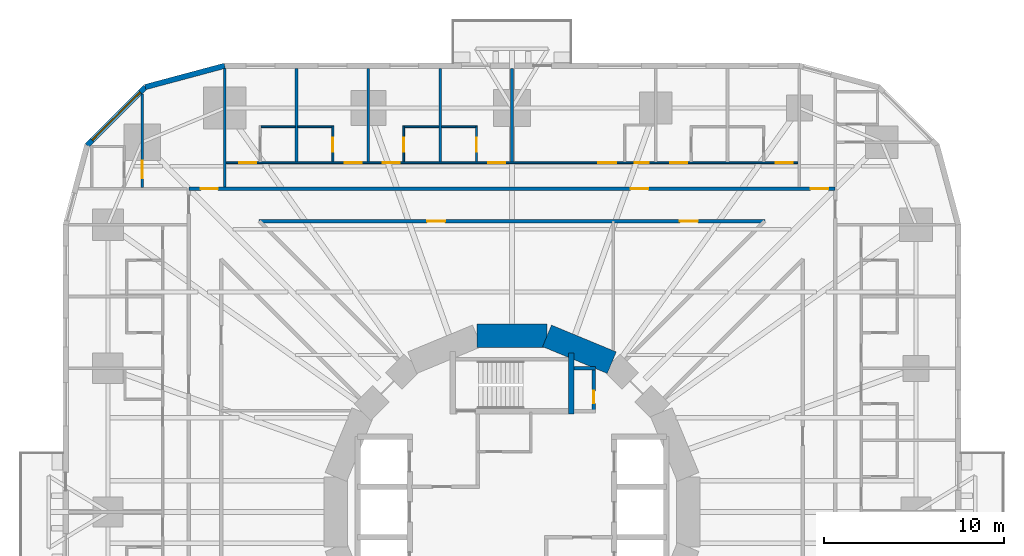
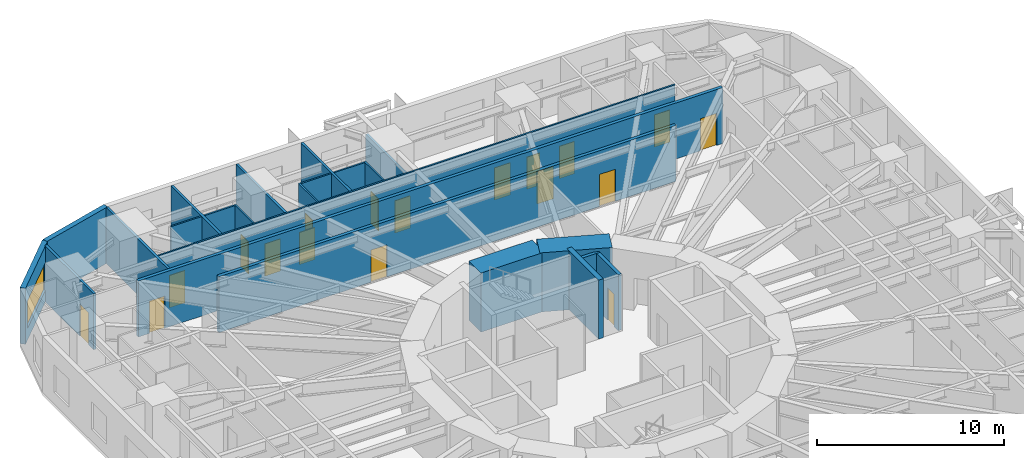
# One storey, part 10 of 14: 23 walls, 18 doors, 1 window, 19 openings.
"""IFC4 building model written with IfcOpenShell, lengths in metres."""

from ifc_helpers import new_model, si_unit, direction, frame, frame_2d, origin, place, context, subcontext, project, spatial, rectangle, extrude, material, layer, layer_set, type_object, element, fill, save


model = new_model("IFC4")

# Units and contexts
model_context = context("Model", 3, precision=1e-05, world=origin(), true_north=direction((0.0, 1.0)))
body_context = subcontext(model_context, "Body", "Model", "MODEL_VIEW")
ifc_project = project(units=[si_unit("LENGTHUNIT", "METRE"), si_unit("AREAUNIT", "SQUARE_METRE"), si_unit("VOLUMEUNIT", "CUBIC_METRE"), si_unit("PLANEANGLEUNIT", "RADIAN"), si_unit("MASSUNIT", "GRAM", prefix="KILO")], contexts=[model_context])

# Site, building, storey
site_placement = place(None, origin())
site = spatial("IfcSite", under=ifc_project, at=site_placement, CompositionType="ELEMENT")
building_placement = place(site_placement, origin())
building = spatial("IfcBuilding", under=site, at=building_placement, Name="Nakasero Lantern House", CompositionType="ELEMENT")
storey_placement = place(building_placement, frame((0.0, 0.0, 39.10009765625)))
storey = spatial("IfcBuildingStorey", under=building, at=storey_placement, Name="L09", CompositionType="ELEMENT", Elevation=39.10009765625)

# Wall, openings, doors
ifc_material_1 = material(Name="Blockwork", Category="masonry")
ifc_layer_1 = layer(ifc_material_1, 0.10009765625)
ifc_layer_set_1 = layer_set([ifc_layer_1], Name="Cluster hall wall 100")
wall_type_1 = type_object("IfcWallType", Name="Cluster hall wall 100", PredefinedType="PARTITIONING", material=ifc_layer_set_1)
wall_1_placement = place(storey_placement, frame((15.925048828125, 19.449951171875, 0.0), z_axis=(0.0, 0.0, 1.0), x_axis=(-1.0, 0.0, 0.0)))
wall_1 = element("IfcWall", 1, at=wall_1_placement, inside=storey, type_object=wall_type_1, Name="Cluster hall wall L09 HW1-0", PredefinedType="PARTITIONING", context=body_context, shape_type="SweptSolid", body=[
    extrude(rectangle(XDim=31.85009765625, YDim=0.10009765625, at=frame_2d((15.925048828125, 0.0))), origin(), (0.0, 0.0, 1.0), 3.64990234375),
])
opening_1_placement = place(wall_1_placement, frame((10.125, 0.0, 0.0)))
opening_1 = element("IfcOpeningElement", 2, at=opening_1_placement, cuts=wall_1, Name="Opening D03", PredefinedType="OPENING", context=body_context, shape_type="SweptSolid", body=[
    extrude(rectangle(XDim=1.0, YDim=2.10009765625, at=frame_2d((0.5, 1.050048828125))), frame((0.0, 0.070068359375, 0.0), z_axis=(0.0, -1.0, 0.0), x_axis=(1.0, 0.0, 0.0)), (0.0, 0.0, 1.0), 0.14013671875),
])
opening_2_placement = place(wall_1_placement, frame((8.300048828125, 0.0, 0.0)))
opening_2 = element("IfcOpeningElement", 3, at=opening_2_placement, cuts=wall_1, Name="Opening D02", PredefinedType="OPENING", context=body_context, shape_type="SweptSolid", body=[
    extrude(rectangle(XDim=0.800048828125, YDim=2.10009765625, at=frame_2d((0.39990234375, 1.050048828125))), frame((0.0, 0.070068359375, 0.0), z_axis=(0.0, -1.0, 0.0), x_axis=(1.0, 0.0, 0.0)), (0.0, 0.0, 1.0), 0.14013671875),
])
opening_3_placement = place(wall_1_placement, frame((0.300048828125, 0.0, 0.0)))
opening_3 = element("IfcOpeningElement", 4, at=opening_3_placement, cuts=wall_1, Name="Opening D01", PredefinedType="OPENING", context=body_context, shape_type="SweptSolid", body=[
    extrude(rectangle(XDim=0.949951171875, YDim=2.10009765625, at=frame_2d((0.47509765625, 1.050048828125))), frame((0.0, 0.070068359375, 0.0), z_axis=(0.0, -1.0, 0.0), x_axis=(1.0, 0.0, 0.0)), (0.0, 0.0, 1.0), 0.14013671875),
])
opening_4_placement = place(wall_1_placement, frame((6.175048828125, 0.0, 0.0)))
opening_4 = element("IfcOpeningElement", 5, at=opening_4_placement, cuts=wall_1, Name="Opening D01", PredefinedType="OPENING", context=body_context, shape_type="SweptSolid", body=[
    extrude(rectangle(XDim=0.949951171875, YDim=2.10009765625, at=frame_2d((0.47509765625, 1.050048828125))), frame((0.0, 0.070068359375, 0.0), z_axis=(0.0, -1.0, 0.0), x_axis=(1.0, 0.0, 0.0)), (0.0, 0.0, 1.0), 0.14013671875),
])
opening_5_placement = place(wall_1_placement, frame((16.300048828125, 0.0, 0.0)))
opening_5 = element("IfcOpeningElement", 6, at=opening_5_placement, cuts=wall_1, Name="Opening D01", PredefinedType="OPENING", context=body_context, shape_type="SweptSolid", body=[
    extrude(rectangle(XDim=0.949951171875, YDim=2.10009765625, at=frame_2d((0.47509765625, 1.050048828125))), frame((0.0, 0.070068359375, 0.0), z_axis=(0.0, -1.0, 0.0), x_axis=(1.0, 0.0, 0.0)), (0.0, 0.0, 1.0), 0.14013671875),
])
opening_6_placement = place(wall_1_placement, frame((22.175048828125, 0.0, 0.0)))
opening_6 = element("IfcOpeningElement", 7, at=opening_6_placement, cuts=wall_1, Name="Opening D01", PredefinedType="OPENING", context=body_context, shape_type="SweptSolid", body=[
    extrude(rectangle(XDim=0.949951171875, YDim=2.10009765625, at=frame_2d((0.47509765625, 1.050048828125))), frame((0.0, 0.070068359375, 0.0), z_axis=(0.0, -1.0, 0.0), x_axis=(1.0, 0.0, 0.0)), (0.0, 0.0, 1.0), 0.14013671875),
])
opening_7_placement = place(wall_1_placement, frame((24.300048828125, 0.0, 0.0)))
opening_7 = element("IfcOpeningElement", 8, at=opening_7_placement, cuts=wall_1, Name="Opening D01", PredefinedType="OPENING", context=body_context, shape_type="SweptSolid", body=[
    extrude(rectangle(XDim=0.949951171875, YDim=2.10009765625, at=frame_2d((0.47509765625, 1.050048828125))), frame((0.0, 0.070068359375, 0.0), z_axis=(0.0, -1.0, 0.0), x_axis=(1.0, 0.0, 0.0)), (0.0, 0.0, 1.0), 0.14013671875),
])
opening_8_placement = place(wall_1_placement, frame((30.175048828125, 0.0, 0.0)))
opening_8 = element("IfcOpeningElement", 9, at=opening_8_placement, cuts=wall_1, Name="Opening D01", PredefinedType="OPENING", context=body_context, shape_type="SweptSolid", body=[
    extrude(rectangle(XDim=0.949951171875, YDim=2.10009765625, at=frame_2d((0.47509765625, 1.050048828125))), frame((0.0, 0.070068359375, 0.0), z_axis=(0.0, -1.0, 0.0), x_axis=(1.0, 0.0, 0.0)), (0.0, 0.0, 1.0), 0.14013671875),
])
ifc_material_2 = material(Name="Timber C24", Category="wood")
door_type_1 = type_object("IfcDoorType", Name="Bedroom door FD30S 950", OperationType="SINGLE_SWING_LEFT", PredefinedType="DOOR", material=ifc_material_2)
door_1_placement = place(opening_3_placement, origin())
door_1 = element("IfcDoor", 10, at=door_1_placement, inside=storey, type_object=door_type_1, Name="Door L09 D1-01", OperationType="SINGLE_SWING_LEFT", OverallHeight=2.10009765625, OverallWidth=0.949951171875, PredefinedType="DOOR", context=body_context, shape_type="SweptSolid", body=[
    extrude(rectangle(XDim=0.949951171875, YDim=2.10009765625, at=frame_2d((0.47509765625, 1.050048828125))), frame((0.0, 0.02490234375, 0.0), z_axis=(0.0, -1.0, 0.0), x_axis=(1.0, 0.0, 0.0)), (0.0, 0.0, 1.0), 0.050048828125),
])
fill(opening_3, door_1)
door_2_placement = place(opening_4_placement, origin())
door_2 = element("IfcDoor", 11, at=door_2_placement, inside=storey, type_object=door_type_1, Name="Door L09 D1-02", OperationType="SINGLE_SWING_LEFT", OverallHeight=2.10009765625, OverallWidth=0.949951171875, PredefinedType="DOOR", context=body_context, shape_type="SweptSolid", body=[
    extrude(rectangle(XDim=0.949951171875, YDim=2.10009765625, at=frame_2d((0.47509765625, 1.050048828125))), frame((0.0, 0.02490234375, 0.0), z_axis=(0.0, -1.0, 0.0), x_axis=(1.0, 0.0, 0.0)), (0.0, 0.0, 1.0), 0.050048828125),
])
fill(opening_4, door_2)
door_3_placement = place(opening_5_placement, origin())
door_3 = element("IfcDoor", 12, at=door_3_placement, inside=storey, type_object=door_type_1, Name="Door L09 D1-05", OperationType="SINGLE_SWING_RIGHT", OverallHeight=2.10009765625, OverallWidth=0.949951171875, PredefinedType="DOOR", context=body_context, shape_type="SweptSolid", body=[
    extrude(rectangle(XDim=0.949951171875, YDim=2.10009765625, at=frame_2d((0.47509765625, 1.050048828125))), frame((0.0, 0.02490234375, 0.0), z_axis=(0.0, -1.0, 0.0), x_axis=(1.0, 0.0, 0.0)), (0.0, 0.0, 1.0), 0.050048828125),
])
fill(opening_5, door_3)
door_4_placement = place(opening_6_placement, origin())
door_4 = element("IfcDoor", 13, at=door_4_placement, inside=storey, type_object=door_type_1, Name="Door L09 D1-06", OperationType="SINGLE_SWING_RIGHT", OverallHeight=2.10009765625, OverallWidth=0.949951171875, PredefinedType="DOOR", context=body_context, shape_type="SweptSolid", body=[
    extrude(rectangle(XDim=0.949951171875, YDim=2.10009765625, at=frame_2d((0.47509765625, 1.050048828125))), frame((0.0, 0.02490234375, 0.0), z_axis=(0.0, -1.0, 0.0), x_axis=(1.0, 0.0, 0.0)), (0.0, 0.0, 1.0), 0.050048828125),
])
fill(opening_6, door_4)
door_5_placement = place(opening_7_placement, origin())
door_5 = element("IfcDoor", 14, at=door_5_placement, inside=storey, type_object=door_type_1, Name="Door L09 D1-07", OperationType="SINGLE_SWING_RIGHT", OverallHeight=2.10009765625, OverallWidth=0.949951171875, PredefinedType="DOOR", context=body_context, shape_type="SweptSolid", body=[
    extrude(rectangle(XDim=0.949951171875, YDim=2.10009765625, at=frame_2d((0.47509765625, 1.050048828125))), frame((0.0, 0.02490234375, 0.0), z_axis=(0.0, -1.0, 0.0), x_axis=(1.0, 0.0, 0.0)), (0.0, 0.0, 1.0), 0.050048828125),
])
fill(opening_7, door_5)
door_6_placement = place(opening_8_placement, origin())
door_6 = element("IfcDoor", 15, at=door_6_placement, inside=storey, type_object=door_type_1, Name="Door L09 D1-08", OperationType="SINGLE_SWING_RIGHT", OverallHeight=2.10009765625, OverallWidth=0.949951171875, PredefinedType="DOOR", context=body_context, shape_type="SweptSolid", body=[
    extrude(rectangle(XDim=0.949951171875, YDim=2.10009765625, at=frame_2d((0.47509765625, 1.050048828125))), frame((0.0, 0.02490234375, 0.0), z_axis=(0.0, -1.0, 0.0), x_axis=(1.0, 0.0, 0.0)), (0.0, 0.0, 1.0), 0.050048828125),
])
fill(opening_8, door_6)
ifc_material_3 = material(Name="Timber C24", Category="wood")
door_type_2 = type_object("IfcDoorType", Name="En-suite door 800", OperationType="SINGLE_SWING_RIGHT", PredefinedType="DOOR", material=ifc_material_3)
door_7_placement = place(opening_2_placement, origin())
door_7 = element("IfcDoor", 16, at=door_7_placement, inside=storey, type_object=door_type_2, Name="Door L09 DSH1-0", OperationType="SINGLE_SWING_LEFT", OverallHeight=2.10009765625, OverallWidth=0.800048828125, PredefinedType="DOOR", context=body_context, shape_type="SweptSolid", body=[
    extrude(rectangle(XDim=0.800048828125, YDim=2.10009765625, at=frame_2d((0.39990234375, 1.050048828125))), frame((0.0, 0.02490234375, 0.0), z_axis=(0.0, -1.0, 0.0), x_axis=(1.0, 0.0, 0.0)), (0.0, 0.0, 1.0), 0.050048828125),
])
fill(opening_2, door_7)
ifc_material_4 = material(Name="Timber C24", Category="wood")
door_type_3 = type_object("IfcDoorType", Name="Lounge door FD30S 1000", OperationType="SINGLE_SWING_LEFT", PredefinedType="DOOR", material=ifc_material_4)
door_8_placement = place(opening_1_placement, origin())
door_8 = element("IfcDoor", 17, at=door_8_placement, inside=storey, type_object=door_type_3, Name="Door L09 DH1-0", OperationType="SINGLE_SWING_LEFT", OverallHeight=2.10009765625, OverallWidth=1.0, PredefinedType="DOOR", context=body_context, shape_type="SweptSolid", body=[
    extrude(rectangle(XDim=1.0, YDim=2.10009765625, at=frame_2d((0.5, 1.050048828125))), frame((0.0, 0.02490234375, 0.0), z_axis=(0.0, -1.0, 0.0), x_axis=(1.0, 0.0, 0.0)), (0.0, 0.0, 1.0), 0.050048828125),
])
fill(opening_1, door_8)

# Walls
ifc_material_5 = material(Name="Concrete C50/60", Category="concrete")
ifc_layer_2 = layer(ifc_material_5, 0.300048828125)
ifc_layer_set_2 = layer_set([ifc_layer_2], Name="Core inner wall 300")
wall_type_2 = type_object("IfcWallType", Name="Core inner wall 300", PredefinedType="SHEAR", material=ifc_layer_set_2)
wall_2_placement = place(storey_placement, frame((3.300048828125, 5.449951171875, 0.0), z_axis=(0.0, 0.0, 1.0), x_axis=(0.0, 1.0, 0.0)))
element("IfcWall", 18, at=wall_2_placement, inside=storey, type_object=wall_type_2, Name="Core inner wall L09 SNE", PredefinedType="SHEAR", context=body_context, shape_type="SweptSolid", body=[
    extrude(rectangle(XDim=3.400146484375, YDim=0.300048828125, at=frame_2d((1.7001953125, 0.0))), origin(), (0.0, 0.0, 1.0), 3.849853515625),
])
ifc_material_6 = material(Name="Concrete C50/60", Category="concrete")
ifc_layer_3 = layer(ifc_material_6, 1.300048828125)
ifc_layer_set_3 = layer_set([ifc_layer_3], Name="Core wall 1300")
wall_type_3 = type_object("IfcWallType", Name="Core wall 1300", PredefinedType="SHEAR", material=ifc_layer_set_3)
for number, where, z_axis, x_axis, name in (
    (19, (5.5556640625, 8.314697265625, 0.0), (0.0, 0.0, 1.0), (-0.923876507187, 0.382690736062, 0.0), "Core wall L09 facet 3"),
    (20, (1.950927734375, 9.807861328125, 0.0), (0.0, 0.0, 1.0), (-1.0, 0.0, 0.0), "Core wall L09 facet 4"),
):
    element("IfcWall", number, at=place(storey_placement, frame(where, z_axis=z_axis, x_axis=x_axis)), inside=storey, type_object=wall_type_3, Name=name, PredefinedType="SHEAR", context=body_context, shape_type="SweptSolid", body=[
        extrude(rectangle(XDim=3.90185546875, YDim=1.300048828125, at=frame_2d((1.950927734375, 0.0))), origin(), (0.0, 0.0, 1.0), 3.849853515625),
    ])

# Wall, openings, doors
ifc_material_7 = material(Name="Blockwork", Category="masonry")
ifc_layer_4 = layer(ifc_material_7, 0.199951171875)
ifc_layer_set_4 = layer_set([ifc_layer_4], Name="Corridor wall 200")
wall_type_4 = type_object("IfcWallType", Name="Corridor wall 200", PredefinedType="PARTITIONING", material=ifc_layer_set_4)
wall_3_placement = place(storey_placement, frame((18.0, 18.0, 0.0), z_axis=(0.0, 0.0, 1.0), x_axis=(-1.0, 0.0, 0.0)))
wall_3 = element("IfcWall", 21, at=wall_3_placement, inside=storey, type_object=wall_type_4, Name="Corridor wall L09 CW1", PredefinedType="PARTITIONING", context=body_context, shape_type="SweptSolid", body=[
    extrude(rectangle(XDim=36.0, YDim=0.199951171875, at=frame_2d((18.0, 0.0))), origin(), (0.0, 0.0, 1.0), 3.64990234375),
])
opening_9_placement = place(wall_3_placement, frame((10.39990234375, 0.0, 0.0)))
opening_9 = element("IfcOpeningElement", 22, at=opening_9_placement, cuts=wall_3, Name="Opening D14", PredefinedType="OPENING", context=body_context, shape_type="SweptSolid", body=[
    extrude(rectangle(XDim=1.0, YDim=2.10009765625, at=frame_2d((0.5, 1.050048828125))), frame((0.0, 0.119873046875, 0.0), z_axis=(0.0, -1.0, 0.0), x_axis=(1.0, 0.0, 0.0)), (0.0, 0.0, 1.0), 0.239990234375),
])
opening_10_placement = place(wall_3_placement, frame((0.375, 0.0, 0.0)))
opening_10 = element("IfcOpeningElement", 23, at=opening_10_placement, cuts=wall_3, Name="Opening D07", PredefinedType="OPENING", context=body_context, shape_type="SweptSolid", body=[
    extrude(rectangle(XDim=1.0, YDim=2.10009765625, at=frame_2d((0.5, 1.050048828125))), frame((0.0, 0.119873046875, 0.0), z_axis=(0.0, -1.0, 0.0), x_axis=(1.0, 0.0, 0.0)), (0.0, 0.0, 1.0), 0.239990234375),
])
opening_11_placement = place(wall_3_placement, frame((34.375, 0.0, 0.0)))
opening_11 = element("IfcOpeningElement", 24, at=opening_11_placement, cuts=wall_3, Name="Opening D01", PredefinedType="OPENING", context=body_context, shape_type="SweptSolid", body=[
    extrude(rectangle(XDim=0.949951171875, YDim=2.10009765625, at=frame_2d((0.47509765625, 1.050048828125))), frame((0.0, 0.119873046875, 0.0), z_axis=(0.0, -1.0, 0.0), x_axis=(1.0, 0.0, 0.0)), (0.0, 0.0, 1.0), 0.239990234375),
])
door_9_placement = place(opening_11_placement, origin())
door_9 = element("IfcDoor", 25, at=door_9_placement, inside=storey, type_object=door_type_1, Name="Door L09 D1-09", OperationType="SINGLE_SWING_RIGHT", OverallHeight=2.10009765625, OverallWidth=0.949951171875, PredefinedType="DOOR", context=body_context, shape_type="SweptSolid", body=[
    extrude(rectangle(XDim=0.949951171875, YDim=2.10009765625, at=frame_2d((0.47509765625, 1.050048828125))), frame((0.0, 0.02490234375, 0.0), z_axis=(0.0, -1.0, 0.0), x_axis=(1.0, 0.0, 0.0)), (0.0, 0.0, 1.0), 0.050048828125),
])
fill(opening_11, door_9)
ifc_material_8 = material(Name="Timber C24", Category="wood")
door_type_4 = type_object("IfcDoorType", Name="Cluster entrance door FD30S 1000", OperationType="SINGLE_SWING_LEFT", PredefinedType="DOOR", material=ifc_material_8)
door_10_placement = place(opening_9_placement, origin())
door_10 = element("IfcDoor", 26, at=door_10_placement, inside=storey, type_object=door_type_4, Name="Door L09 DF1-0", OperationType="SINGLE_SWING_LEFT", OverallHeight=2.10009765625, OverallWidth=1.0, PredefinedType="DOOR", context=body_context, shape_type="SweptSolid", body=[
    extrude(rectangle(XDim=1.0, YDim=2.10009765625, at=frame_2d((0.5, 1.050048828125))), frame((0.0, 0.02490234375, 0.0), z_axis=(0.0, -1.0, 0.0), x_axis=(1.0, 0.0, 0.0)), (0.0, 0.0, 1.0), 0.050048828125),
])
fill(opening_9, door_10)
ifc_material_9 = material(Name="Timber C24", Category="wood")
door_type_5 = type_object("IfcDoorType", Name="Room door FD30S 1000", OperationType="SINGLE_SWING_LEFT", PredefinedType="DOOR", material=ifc_material_9)
door_11_placement = place(opening_10_placement, origin())
door_11 = element("IfcDoor", 27, at=door_11_placement, inside=storey, type_object=door_type_5, Name="Door L09 D1-00", OperationType="SINGLE_SWING_LEFT", OverallHeight=2.10009765625, OverallWidth=1.0, PredefinedType="DOOR", context=body_context, shape_type="SweptSolid", body=[
    extrude(rectangle(XDim=1.0, YDim=2.10009765625, at=frame_2d((0.5, 1.050048828125))), frame((0.0, 0.02490234375, 0.0), z_axis=(0.0, -1.0, 0.0), x_axis=(1.0, 0.0, 0.0)), (0.0, 0.0, 1.0), 0.050048828125),
])
fill(opening_10, door_11)

wall_4_placement = place(storey_placement, frame((14.07861328125, 16.199951171875, 0.0), z_axis=(0.0, 0.0, 1.0), x_axis=(-1.0, 0.0, 0.0)))
wall_4 = element("IfcWall", 28, at=wall_4_placement, inside=storey, type_object=wall_type_4, Name="Corridor wall L09 IW1-0", PredefinedType="PARTITIONING", context=body_context, shape_type="SweptSolid", body=[
    extrude(rectangle(XDim=28.1572265625, YDim=0.199951171875, at=frame_2d((14.07861328125, 0.0))), origin(), (0.0, 0.0, 1.0), 3.64990234375),
])
opening_12_placement = place(wall_4_placement, frame((3.7236328125, 0.0, 0.0)))
opening_12 = element("IfcOpeningElement", 29, at=opening_12_placement, cuts=wall_4, Name="Opening D07", PredefinedType="OPENING", context=body_context, shape_type="SweptSolid", body=[
    extrude(rectangle(XDim=1.0, YDim=2.10009765625, at=frame_2d((0.5, 1.050048828125))), frame((0.0, 0.119873046875, 0.0), z_axis=(0.0, -1.0, 0.0), x_axis=(1.0, 0.0, 0.0)), (0.0, 0.0, 1.0), 0.239990234375),
])
opening_13_placement = place(wall_4_placement, frame((17.80224609375, 0.0, 0.0)))
opening_13 = element("IfcOpeningElement", 30, at=opening_13_placement, cuts=wall_4, Name="Opening D07", PredefinedType="OPENING", context=body_context, shape_type="SweptSolid", body=[
    extrude(rectangle(XDim=1.0, YDim=2.10009765625, at=frame_2d((0.5, 1.050048828125))), frame((0.0, 0.119873046875, 0.0), z_axis=(0.0, -1.0, 0.0), x_axis=(1.0, 0.0, 0.0)), (0.0, 0.0, 1.0), 0.239990234375),
])
door_12_placement = place(opening_12_placement, origin())
door_12 = element("IfcDoor", 31, at=door_12_placement, inside=storey, type_object=door_type_5, Name="Door L09 DI2", OperationType="SINGLE_SWING_LEFT", OverallHeight=2.10009765625, OverallWidth=1.0, PredefinedType="DOOR", context=body_context, shape_type="SweptSolid", body=[
    extrude(rectangle(XDim=1.0, YDim=2.10009765625, at=frame_2d((0.5, 1.050048828125))), frame((0.0, 0.02490234375, 0.0), z_axis=(0.0, -1.0, 0.0), x_axis=(1.0, 0.0, 0.0)), (0.0, 0.0, 1.0), 0.050048828125),
])
fill(opening_12, door_12)
door_13_placement = place(opening_13_placement, origin())
door_13 = element("IfcDoor", 32, at=door_13_placement, inside=storey, type_object=door_type_5, Name="Door L09 DI2S", OperationType="SINGLE_SWING_RIGHT", OverallHeight=2.10009765625, OverallWidth=1.0, PredefinedType="DOOR", context=body_context, shape_type="SweptSolid", body=[
    extrude(rectangle(XDim=1.0, YDim=2.10009765625, at=frame_2d((0.5, 1.050048828125))), frame((0.0, 0.02490234375, 0.0), z_axis=(0.0, -1.0, 0.0), x_axis=(1.0, 0.0, 0.0)), (0.0, 0.0, 1.0), 0.050048828125),
])
fill(opening_13, door_13)

# Wall, opening, door
ifc_material_10 = material(Name="Blockwork", Category="masonry")
ifc_layer_5 = layer(ifc_material_10, 0.10009765625)
ifc_layer_set_5 = layer_set([ifc_layer_5], Name="En-suite wall 100")
wall_type_5 = type_object("IfcWallType", Name="En-suite wall 100", PredefinedType="PARTITIONING", material=ifc_layer_set_5)
wall_5_placement = place(storey_placement, frame((-1.97509765625, 19.5, 0.0), z_axis=(0.0, 0.0, 1.0), x_axis=(0.0, 1.0, 0.0)))
wall_5 = element("IfcWall", 33, at=wall_5_placement, inside=storey, type_object=wall_type_5, Name="En-suite wall L09 ES1-05", PredefinedType="PARTITIONING", context=body_context, shape_type="SweptSolid", body=[
    extrude(rectangle(XDim=2.0, YDim=0.10009765625, at=frame_2d((1.0, 0.0))), origin(), (0.0, 0.0, 1.0), 3.64990234375),
])
opening_14_placement = place(wall_5_placement, frame((0.550048828125, 0.0, 0.0)))
opening_14 = element("IfcOpeningElement", 34, at=opening_14_placement, cuts=wall_5, Name="Opening D02", PredefinedType="OPENING", context=body_context, shape_type="SweptSolid", body=[
    extrude(rectangle(XDim=0.800048828125, YDim=2.10009765625, at=frame_2d((0.39990234375, 1.050048828125))), frame((0.0, 0.070068359375, 0.0), z_axis=(0.0, -1.0, 0.0), x_axis=(1.0, 0.0, 0.0)), (0.0, 0.0, 1.0), 0.14013671875),
])
door_14_placement = place(opening_14_placement, origin())
door_14 = element("IfcDoor", 35, at=door_14_placement, inside=storey, type_object=door_type_2, Name="Door L09 DE1-05", OperationType="SINGLE_SWING_LEFT", OverallHeight=2.10009765625, OverallWidth=0.800048828125, PredefinedType="DOOR", context=body_context, shape_type="SweptSolid", body=[
    extrude(rectangle(XDim=0.800048828125, YDim=2.10009765625, at=frame_2d((0.39990234375, 1.050048828125))), frame((0.0, 0.02490234375, 0.0), z_axis=(0.0, -1.0, 0.0), x_axis=(1.0, 0.0, 0.0)), (0.0, 0.0, 1.0), 0.050048828125),
])
fill(opening_14, door_14)

# Wall
wall_6_placement = place(storey_placement, frame((-2.02490234375, 21.449951171875, 0.0), z_axis=(0.0, 0.0, 1.0), x_axis=(-1.0, 0.0, 0.0)))
element("IfcWall", 36, at=wall_6_placement, inside=storey, type_object=wall_type_5, Name="En-suite wall L09 EE1-05", PredefinedType="PARTITIONING", context=body_context, shape_type="SweptSolid", body=[
    extrude(rectangle(XDim=1.900146484375, YDim=0.10009765625, at=frame_2d((0.9501953125, 0.0))), origin(), (0.0, 0.0, 1.0), 3.64990234375),
])

# Wall, opening, door
wall_7_placement = place(storey_placement, frame((-6.02490234375, 19.5, 0.0), z_axis=(0.0, 0.0, 1.0), x_axis=(0.0, 1.0, 0.0)))
wall_7 = element("IfcWall", 37, at=wall_7_placement, inside=storey, type_object=wall_type_5, Name="En-suite wall L09 ES1-06", PredefinedType="PARTITIONING", context=body_context, shape_type="SweptSolid", body=[
    extrude(rectangle(XDim=2.0, YDim=0.10009765625, at=frame_2d((1.0, 0.0))), origin(), (0.0, 0.0, 1.0), 3.64990234375),
])
opening_15_placement = place(wall_7_placement, frame((0.550048828125, 0.0, 0.0)))
opening_15 = element("IfcOpeningElement", 38, at=opening_15_placement, cuts=wall_7, Name="Opening D02", PredefinedType="OPENING", context=body_context, shape_type="SweptSolid", body=[
    extrude(rectangle(XDim=0.800048828125, YDim=2.10009765625, at=frame_2d((0.39990234375, 1.050048828125))), frame((0.0, 0.070068359375, 0.0), z_axis=(0.0, -1.0, 0.0), x_axis=(1.0, 0.0, 0.0)), (0.0, 0.0, 1.0), 0.14013671875),
])
door_15_placement = place(opening_15_placement, origin())
door_15 = element("IfcDoor", 39, at=door_15_placement, inside=storey, type_object=door_type_2, Name="Door L09 DE1-06", OperationType="SINGLE_SWING_LEFT", OverallHeight=2.10009765625, OverallWidth=0.800048828125, PredefinedType="DOOR", context=body_context, shape_type="SweptSolid", body=[
    extrude(rectangle(XDim=0.800048828125, YDim=2.10009765625, at=frame_2d((0.39990234375, 1.050048828125))), frame((0.0, 0.02490234375, 0.0), z_axis=(0.0, -1.0, 0.0), x_axis=(1.0, 0.0, 0.0)), (0.0, 0.0, 1.0), 0.050048828125),
])
fill(opening_15, door_15)

# Wall
wall_8_placement = place(storey_placement, frame((-4.074951171875, 21.449951171875, 0.0), z_axis=(0.0, 0.0, 1.0), x_axis=(-1.0, 0.0, 0.0)))
element("IfcWall", 40, at=wall_8_placement, inside=storey, type_object=wall_type_5, Name="En-suite wall L09 EE1-06", PredefinedType="PARTITIONING", context=body_context, shape_type="SweptSolid", body=[
    extrude(rectangle(XDim=1.900146484375, YDim=0.10009765625, at=frame_2d((0.9501953125, 0.0))), origin(), (0.0, 0.0, 1.0), 3.64990234375),
])

# Wall, opening, door
wall_9_placement = place(storey_placement, frame((-9.97509765625, 19.5, 0.0), z_axis=(0.0, 0.0, 1.0), x_axis=(0.0, 1.0, 0.0)))
wall_9 = element("IfcWall", 41, at=wall_9_placement, inside=storey, type_object=wall_type_5, Name="En-suite wall L09 ES1-07", PredefinedType="PARTITIONING", context=body_context, shape_type="SweptSolid", body=[
    extrude(rectangle(XDim=2.0, YDim=0.10009765625, at=frame_2d((1.0, 0.0))), origin(), (0.0, 0.0, 1.0), 3.64990234375),
])
opening_16_placement = place(wall_9_placement, frame((0.550048828125, 0.0, 0.0)))
opening_16 = element("IfcOpeningElement", 42, at=opening_16_placement, cuts=wall_9, Name="Opening D02", PredefinedType="OPENING", context=body_context, shape_type="SweptSolid", body=[
    extrude(rectangle(XDim=0.800048828125, YDim=2.10009765625, at=frame_2d((0.39990234375, 1.050048828125))), frame((0.0, 0.070068359375, 0.0), z_axis=(0.0, -1.0, 0.0), x_axis=(1.0, 0.0, 0.0)), (0.0, 0.0, 1.0), 0.14013671875),
])
door_16_placement = place(opening_16_placement, origin())
door_16 = element("IfcDoor", 43, at=door_16_placement, inside=storey, type_object=door_type_2, Name="Door L09 DE1-07", OperationType="SINGLE_SWING_LEFT", OverallHeight=2.10009765625, OverallWidth=0.800048828125, PredefinedType="DOOR", context=body_context, shape_type="SweptSolid", body=[
    extrude(rectangle(XDim=0.800048828125, YDim=2.10009765625, at=frame_2d((0.39990234375, 1.050048828125))), frame((0.0, 0.02490234375, 0.0), z_axis=(0.0, -1.0, 0.0), x_axis=(1.0, 0.0, 0.0)), (0.0, 0.0, 1.0), 0.050048828125),
])
fill(opening_16, door_16)

# Walls
for number, where, z_axis, x_axis, name in (
    (44, (-10.02490234375, 21.449951171875, 0.0), (0.0, 0.0, 1.0), (-1.0, 0.0, 0.0), "En-suite wall L09 EE1-07"),
    (45, (-12.074951171875, 21.449951171875, 0.0), (0.0, 0.0, 1.0), (-1.0, 0.0, 0.0), "En-suite wall L09 EE1-08"),
):
    element("IfcWall", number, at=place(storey_placement, frame(where, z_axis=z_axis, x_axis=x_axis)), inside=storey, type_object=wall_type_5, Name=name, PredefinedType="PARTITIONING", context=body_context, shape_type="SweptSolid", body=[
        extrude(rectangle(XDim=1.900146484375, YDim=0.10009765625, at=frame_2d((0.9501953125, 0.0))), origin(), (0.0, 0.0, 1.0), 3.64990234375),
    ])
ifc_material_11 = material(Name="Aluminium rainscreen on blockwork", Category="masonry")
ifc_layer_6 = layer(ifc_material_11, 0.300048828125)
ifc_layer_set_6 = layer_set([ifc_layer_6], Name="Facade wall 300")
wall_type_6 = type_object("IfcWallType", Name="Facade wall 300", PredefinedType="SOLIDWALL", material=ifc_layer_set_6)
wall_10_placement = place(storey_placement, frame((-16.0, 24.85009765625, 0.0), z_axis=(0.0, 0.0, 1.0), x_axis=(-0.965920218567, -0.258839972501, 0.0)))
element("IfcWall", 46, at=wall_10_placement, inside=storey, type_object=wall_type_6, Name="Facade wall L09 FW1C1", PredefinedType="SOLIDWALL", context=body_context, shape_type="SweptSolid", body=[
    extrude(rectangle(XDim=4.5810546875, YDim=0.300048828125, at=frame_2d((2.29052734375, 0.0))), origin(), (0.0, 0.0, 1.0), 3.64990234375),
])

# Wall, opening, window
wall_11_placement = place(storey_placement, frame((-20.425048828125, 23.664306640625, 0.0), z_axis=(0.0, 0.0, 1.0), x_axis=(-0.707106781187, -0.707106781187, 0.0)))
wall_11 = element("IfcWall", 47, at=wall_11_placement, inside=storey, type_object=wall_type_6, Name="Facade wall L09 FW1C2", PredefinedType="SOLIDWALL", context=body_context, shape_type="SweptSolid", body=[
    extrude(rectangle(XDim=4.5810546875, YDim=0.300048828125, at=frame_2d((2.29052734375, 0.0))), origin(), (0.0, 0.0, 1.0), 3.64990234375),
])
opening_17_placement = place(wall_11_placement, frame((0.39990234375, 0.0, 0.75)))
opening_17 = element("IfcOpeningElement", 48, at=opening_17_placement, cuts=wall_11, Name="Opening W237", PredefinedType="OPENING", context=body_context, shape_type="SweptSolid", body=[
    extrude(rectangle(XDim=3.781005859375, YDim=1.800048828125, at=frame_2d((1.890625, 0.89990234375))), frame((0.0, 0.169921875, 0.0), z_axis=(0.0, -1.0, 0.0), x_axis=(1.0, 0.0, 0.0)), (0.0, 0.0, 1.0), 0.340087890625),
])
ifc_material_12 = material(Name="Aluminium 6063-T6 and glass", Category="aluminium")
window_type = type_object("IfcWindowType", Name="Corner window 3781x1800", PartitioningType="SINGLE_PANEL", PredefinedType="WINDOW", material=ifc_material_12)
window_placement = place(opening_17_placement, origin())
window = element("IfcWindow", 49, at=window_placement, inside=storey, type_object=window_type, Name="Window L09 WC1", OverallHeight=1.800048828125, OverallWidth=3.781005859375, PartitioningType="SINGLE_PANEL", PredefinedType="WINDOW", context=body_context, shape_type="SweptSolid", body=[
    extrude(rectangle(XDim=3.781005859375, YDim=1.800048828125, at=frame_2d((1.890625, 0.89990234375))), frame((0.0, 0.030029296875, 0.0), z_axis=(0.0, -1.0, 0.0), x_axis=(1.0, 0.0, 0.0)), (0.0, 0.0, 1.0), 0.06005859375),
])
fill(opening_17, window)

# Wall, opening, door
ifc_material_13 = material(Name="Blockwork", Category="masonry")
ifc_layer_7 = layer(ifc_material_13, 0.199951171875)
ifc_layer_set_7 = layer_set([ifc_layer_7], Name="Fire lobby wall 200")
wall_type_7 = type_object("IfcWallType", Name="Fire lobby wall 200", PredefinedType="PARTITIONING", material=ifc_layer_set_7)
wall_12_placement = place(storey_placement, frame((4.550048828125, 5.60009765625, 0.0), z_axis=(0.0, 0.0, 1.0), x_axis=(0.0, 1.0, 0.0)))
wall_12 = element("IfcWall", 50, at=wall_12_placement, inside=storey, type_object=wall_type_7, Name="Fire lobby wall L09 W-RS1E", PredefinedType="PARTITIONING", context=body_context, shape_type="SweptSolid", body=[
    extrude(rectangle(XDim=2.39990234375, YDim=0.199951171875, at=frame_2d((1.199951171875, 0.0))), origin(), (0.0, 0.0, 1.0), 3.64990234375),
])
opening_18_placement = place(wall_12_placement, frame((0.449951171875, 0.0, 0.0)))
opening_18 = element("IfcOpeningElement", 51, at=opening_18_placement, cuts=wall_12, Name="Opening D06", PredefinedType="OPENING", context=body_context, shape_type="SweptSolid", body=[
    extrude(rectangle(XDim=0.699951171875, YDim=2.10009765625, at=frame_2d((0.35009765625, 1.050048828125))), frame((0.0, 0.119873046875, 0.0), z_axis=(0.0, -1.0, 0.0), x_axis=(1.0, 0.0, 0.0)), (0.0, 0.0, 1.0), 0.239990234375),
])
ifc_material_14 = material(Name="Steel S355", Category="steel")
door_type_6 = type_object("IfcDoorType", Name="Riser door FD60 700", OperationType="SINGLE_SWING_LEFT", PredefinedType="DOOR", material=ifc_material_14)
door_17_placement = place(opening_18_placement, origin())
door_17 = element("IfcDoor", 52, at=door_17_placement, inside=storey, type_object=door_type_6, Name="Door L09 D-RS1", OperationType="SINGLE_SWING_LEFT", OverallHeight=2.10009765625, OverallWidth=0.699951171875, PredefinedType="DOOR", context=body_context, shape_type="SweptSolid", body=[
    extrude(rectangle(XDim=0.699951171875, YDim=2.10009765625, at=frame_2d((0.35009765625, 1.050048828125))), frame((0.0, 0.02490234375, 0.0), z_axis=(0.0, -1.0, 0.0), x_axis=(1.0, 0.0, 0.0)), (0.0, 0.0, 1.0), 0.050048828125),
])
fill(opening_18, door_17)

# Walls
wall_13_placement = place(storey_placement, frame((3.449951171875, 8.0, 0.0), z_axis=(0.0, 0.0, 1.0), x_axis=(1.0, 0.0, 0.0)))
element("IfcWall", 53, at=wall_13_placement, inside=storey, type_object=wall_type_7, Name="Fire lobby wall L09 W-RS1N", PredefinedType="PARTITIONING", context=body_context, shape_type="SweptSolid", body=[
    extrude(rectangle(XDim=1.199951171875, YDim=0.199951171875, at=frame_2d((0.60009765625, 0.0))), origin(), (0.0, 0.0, 1.0), 3.64990234375),
])
ifc_material_15 = material(Name="Blockwork", Category="masonry")
ifc_layer_8 = layer(ifc_material_15, 0.14990234375)
ifc_layer_set_8 = layer_set([ifc_layer_8], Name="Party wall 150")
wall_type_8 = type_object("IfcWallType", Name="Party wall 150", PredefinedType="PARTITIONING", material=ifc_layer_set_8)
wall_14_placement = place(storey_placement, frame((0.0, 19.5, 0.0), z_axis=(0.0, 0.0, 1.0), x_axis=(0.0, 1.0, 0.0)))
element("IfcWall", 54, at=wall_14_placement, inside=storey, type_object=wall_type_8, Name="Party wall L09 PW1-05", PredefinedType="PARTITIONING", context=body_context, shape_type="SweptSolid", body=[
    extrude(rectangle(XDim=5.199951171875, YDim=0.14990234375, at=frame_2d((2.60009765625, 0.0))), origin(), (0.0, 0.0, 1.0), 2.80908203125),
])
for number, where, z_axis, x_axis, name in (
    (55, (-4.0, 19.5, 0.0), (0.0, 0.0, 1.0), (0.0, 1.0, 0.0), "Party wall L09 PW1-06"),
    (56, (-8.0, 19.5, 0.0), (0.0, 0.0, 1.0), (0.0, 1.0, 0.0), "Party wall L09 PW1-07"),
    (57, (-12.0, 19.5, 0.0), (0.0, 0.0, 1.0), (0.0, 1.0, 0.0), "Party wall L09 PW1-08"),
):
    element("IfcWall", number, at=place(storey_placement, frame(where, z_axis=z_axis, x_axis=x_axis)), inside=storey, type_object=wall_type_8, Name=name, PredefinedType="PARTITIONING", context=body_context, shape_type="SweptSolid", body=[
        extrude(rectangle(XDim=5.199951171875, YDim=0.14990234375, at=frame_2d((2.60009765625, 0.0))), origin(), (0.0, 0.0, 1.0), 3.64990234375),
    ])
wall_15_placement = place(storey_placement, frame((-16.0, 18.10009765625, 0.0), z_axis=(0.0, 0.0, 1.0), x_axis=(0.0, 1.0, 0.0)))
element("IfcWall", 58, at=wall_15_placement, inside=storey, type_object=wall_type_8, Name="Party wall L09 PW1-09", PredefinedType="PARTITIONING", context=body_context, shape_type="SweptSolid", body=[
    extrude(rectangle(XDim=6.58935546875, YDim=0.14990234375, at=frame_2d((3.294677734375, 0.0))), origin(), (0.0, 0.0, 1.0), 3.64990234375),
])

# Wall, opening, door
wall_16_placement = place(storey_placement, frame((-20.59619140625, 18.06494140625, 0.0), z_axis=(0.0, 0.0, 1.0), x_axis=(0.0, 1.0, 0.0)))
wall_16 = element("IfcWall", 59, at=wall_16_placement, inside=storey, type_object=wall_type_8, Name="Party wall L09 PC1", PredefinedType="PARTITIONING", context=body_context, shape_type="SweptSolid", body=[
    extrude(rectangle(XDim=5.208740234375, YDim=0.14990234375, at=frame_2d((2.6044921875, 0.0))), origin(), (0.0, 0.0, 1.0), 3.64990234375),
])
opening_19_placement = place(wall_16_placement, frame((0.534912109375, 0.0, 0.0)))
opening_19 = element("IfcOpeningElement", 60, at=opening_19_placement, cuts=wall_16, Name="Opening D01", PredefinedType="OPENING", context=body_context, shape_type="SweptSolid", body=[
    extrude(rectangle(XDim=0.949951171875, YDim=2.10009765625, at=frame_2d((0.47509765625, 1.050048828125))), frame((0.0, 0.094970703125, 0.0), z_axis=(0.0, -1.0, 0.0), x_axis=(1.0, 0.0, 0.0)), (0.0, 0.0, 1.0), 0.18994140625),
])
door_18_placement = place(opening_19_placement, origin())
door_18 = element("IfcDoor", 61, at=door_18_placement, inside=storey, type_object=door_type_1, Name="Door L09 DC1", OperationType="SINGLE_SWING_LEFT", OverallHeight=2.10009765625, OverallWidth=0.949951171875, PredefinedType="DOOR", context=body_context, shape_type="SweptSolid", body=[
    extrude(rectangle(XDim=0.949951171875, YDim=2.10009765625, at=frame_2d((0.47509765625, 1.050048828125))), frame((0.0, 0.02490234375, 0.0), z_axis=(0.0, -1.0, 0.0), x_axis=(1.0, 0.0, 0.0)), (0.0, 0.0, 1.0), 0.050048828125),
])
fill(opening_19, door_18)

save(model, "model.ifc")
